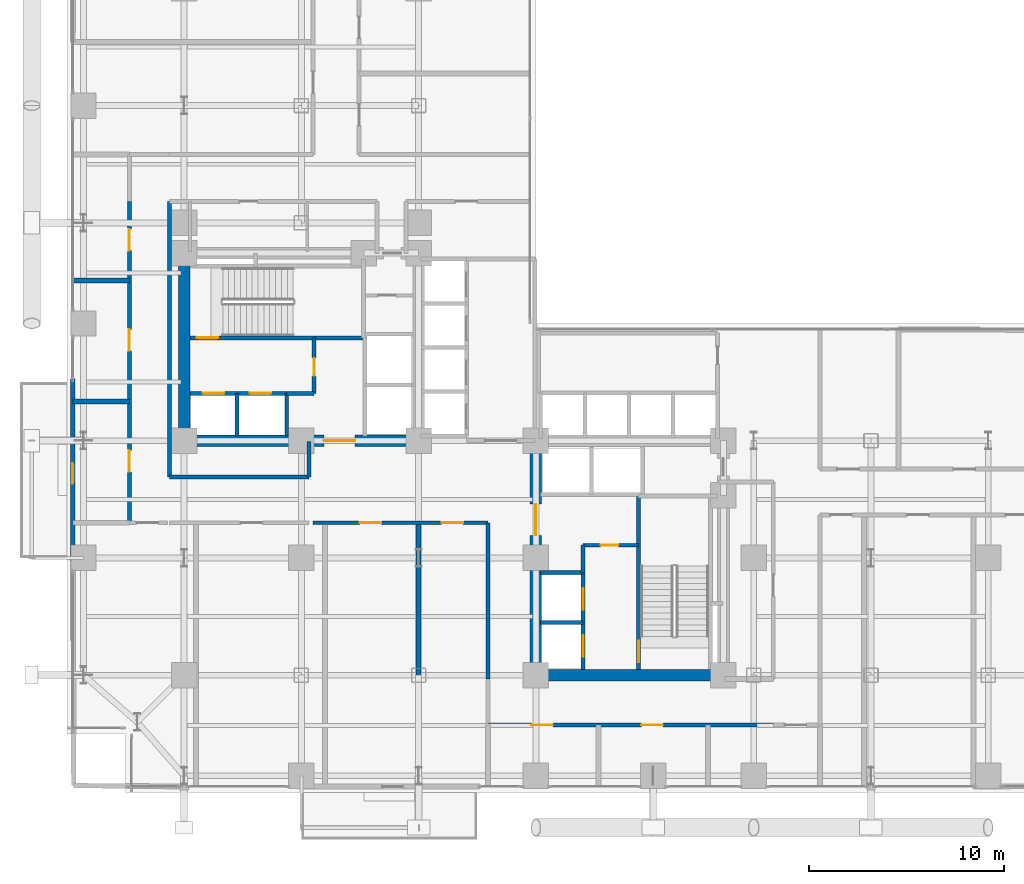
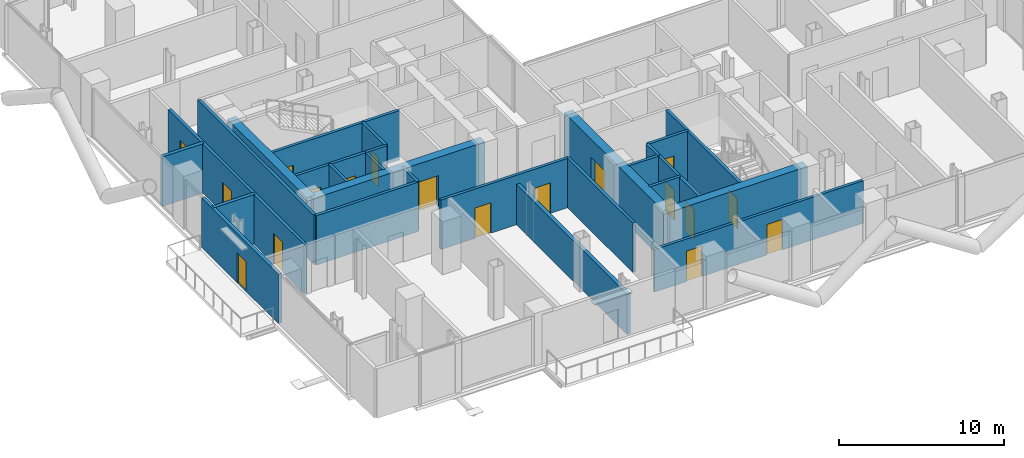
# One storey, part 20 of 25: 27 walls, 18 doors, 18 openings.
"""IFC4 building model written with IfcOpenShell, lengths in metres."""

from ifc_helpers import new_model, si_unit, direction, frame, frame_2d, origin, place, context, subcontext, project, spatial, rectangle, extrude, material, layer, layer_set, type_object, element, fill, save


model = new_model("IFC4")

# Units and contexts
model_context = context("Model", 3, precision=1e-05, world=origin(), true_north=direction((0.0, 1.0)))
body_context = subcontext(model_context, "Body", "Model", "MODEL_VIEW")
ifc_project = project(units=[si_unit("LENGTHUNIT", "METRE"), si_unit("AREAUNIT", "SQUARE_METRE"), si_unit("VOLUMEUNIT", "CUBIC_METRE"), si_unit("PLANEANGLEUNIT", "RADIAN"), si_unit("MASSUNIT", "GRAM", prefix="KILO"), si_unit("THERMODYNAMICTEMPERATUREUNIT", "KELVIN"), si_unit("POWERUNIT", "WATT")], contexts=[model_context])

# Site, building, storey
site_placement = place(None, origin())
site = spatial("IfcSite", under=ifc_project, at=site_placement, CompositionType="ELEMENT")
building_placement = place(site_placement, origin())
building = spatial("IfcBuilding", under=site, at=building_placement, Name="Svarakhadi Broadcast Tower", CompositionType="ELEMENT")
storey_placement = place(building_placement, frame((0.0, 0.0, 79.199951171875)))
storey = spatial("IfcBuildingStorey", under=building, at=storey_placement, Name="L18", CompositionType="ELEMENT", Elevation=79.199951171875)

# Wall, openings, doors
ifc_material_1 = material(Name="Double-Stud Acoustic Studio Partition STC-62", Category="gypsum")
ifc_layer_1 = layer(ifc_material_1, 0.199951171875)
ifc_layer_set_1 = layer_set([ifc_layer_1], Name="Double-Stud Acoustic Studio Partition STC-62")
wall_type_1 = type_object("IfcWallType", Name="Wall_Acoust_200", PredefinedType="PARTITIONING", material=ifc_layer_set_1)
wall_1_placement = place(storey_placement, frame((36.14990234375, 3.449951171875, 0.0), z_axis=(0.0, 0.0, 1.0), x_axis=(-1.0, 0.0, 0.0)))
wall_1 = element("IfcWall", 1, at=wall_1_placement, inside=storey, type_object=wall_type_1, Name="L18 Broadcast Corridor Wall", PredefinedType="PARTITIONING", context=body_context, shape_type="SweptSolid", body=[
    extrude(rectangle(XDim=14.599853515625, YDim=0.199951171875, at=frame_2d((7.2998046875, 0.0))), origin(), (0.0, 0.0, 1.0), 3.14208984375),
])
opening_1_placement = place(wall_1_placement, frame((11.27490234375, 0.0, 0.0)))
opening_1 = element("IfcOpeningElement", 2, at=opening_1_placement, cuts=wall_1, Name="Opening D-11", PredefinedType="OPENING", context=body_context, shape_type="SweptSolid", body=[
    extrude(rectangle(XDim=1.10009765625, YDim=2.25, at=frame_2d((0.550048828125, 1.125))), frame((0.0, 0.10986328125, 0.0), z_axis=(0.0, -1.0, 0.0), x_axis=(1.0, 0.0, 0.0)), (0.0, 0.0, 1.0), 0.219970703125),
])
opening_2_placement = place(wall_1_placement, frame((5.64990234375, 0.0, 0.0)))
opening_2 = element("IfcOpeningElement", 3, at=opening_2_placement, cuts=wall_1, Name="Opening D-10", PredefinedType="OPENING", context=body_context, shape_type="SweptSolid", body=[
    extrude(rectangle(XDim=1.10009765625, YDim=2.25, at=frame_2d((0.550048828125, 1.125))), frame((0.0, 0.10986328125, 0.0), z_axis=(0.0, -1.0, 0.0), x_axis=(1.0, 0.0, 0.0)), (0.0, 0.0, 1.0), 0.219970703125),
])
ifc_material_2 = material(Name="Solid-Core Teak Veneer Acoustic Timber Leaf", Category="wood")
door_type_1 = type_object("IfcDoorType", Name="Door_Acoust_D10", OperationType="SINGLE_SWING_LEFT", PredefinedType="DOOR", material=ifc_material_2)
door_1_placement = place(opening_2_placement, origin())
door_1 = element("IfcDoor", 4, at=door_1_placement, inside=storey, type_object=door_type_1, Name="L18 Media Legal Review Office Door", OperationType="SINGLE_SWING_LEFT", OverallHeight=2.25, OverallWidth=1.10009765625, PredefinedType="DOOR", context=body_context, shape_type="SweptSolid", body=[
    extrude(rectangle(XDim=1.10009765625, YDim=2.25, at=frame_2d((0.550048828125, 1.125))), frame((0.0, 0.02490234375, 0.0), z_axis=(0.0, -1.0, 0.0), x_axis=(1.0, 0.0, 0.0)), (0.0, 0.0, 1.0), 0.050048828125),
])
fill(opening_2, door_1)
door_type_2 = type_object("IfcDoorType", Name="Door_Acoust_D11", OperationType="SINGLE_SWING_RIGHT", PredefinedType="DOOR", material=ifc_material_2)
door_2_placement = place(opening_1_placement, origin())
door_2 = element("IfcDoor", 5, at=door_2_placement, inside=storey, type_object=door_type_2, Name="L18 South Harbour Editorial Desk Door", OperationType="SINGLE_SWING_RIGHT", OverallHeight=2.25, OverallWidth=1.10009765625, PredefinedType="DOOR", context=body_context, shape_type="SweptSolid", body=[
    extrude(rectangle(XDim=1.10009765625, YDim=2.25, at=frame_2d((0.550048828125, 1.125))), frame((0.0, 0.02490234375, 0.0), z_axis=(0.0, -1.0, 0.0), x_axis=(1.0, 0.0, 0.0)), (0.0, 0.0, 1.0), 0.050048828125),
])
fill(opening_1, door_2)

# Wall
wall_2_placement = place(storey_placement, frame((21.550048828125, 5.800048828125, 0.0), z_axis=(0.0, 0.0, 1.0), x_axis=(0.0, 1.0, 0.0)))
element("IfcWall", 6, at=wall_2_placement, inside=storey, type_object=wall_type_1, Name="L18 Broadcast Corridor Wall", PredefinedType="PARTITIONING", context=body_context, shape_type="SweptSolid", body=[
    extrude(rectangle(XDim=8.0, YDim=0.199951171875, at=frame_2d((4.0, 0.0))), origin(), (0.0, 0.0, 1.0), 3.650146484375),
])

# Wall, openings, doors
wall_3_placement = place(storey_placement, frame((21.550048828125, 13.800048828125, 0.0), z_axis=(0.0, 0.0, 1.0), x_axis=(-1.0, 0.0, 0.0)))
wall_3 = element("IfcWall", 7, at=wall_3_placement, inside=storey, type_object=wall_type_1, Name="L18 Broadcast Corridor Wall", PredefinedType="PARTITIONING", context=body_context, shape_type="SweptSolid", body=[
    extrude(rectangle(XDim=8.949951171875, YDim=0.199951171875, at=frame_2d((4.47509765625, 0.0))), origin(), (0.0, 0.0, 1.0), 3.650146484375),
])
opening_3_placement = place(wall_3_placement, frame((5.449951171875, 0.0, 0.0)))
opening_3 = element("IfcOpeningElement", 8, at=opening_3_placement, cuts=wall_3, Name="Opening D-11", PredefinedType="OPENING", context=body_context, shape_type="SweptSolid", body=[
    extrude(rectangle(XDim=1.10009765625, YDim=2.25, at=frame_2d((0.550048828125, 1.125))), frame((0.0, 0.10986328125, 0.0), z_axis=(0.0, -1.0, 0.0), x_axis=(1.0, 0.0, 0.0)), (0.0, 0.0, 1.0), 0.219970703125),
])
opening_4_placement = place(wall_3_placement, frame((1.27490234375, 0.0, 0.0)))
opening_4 = element("IfcOpeningElement", 9, at=opening_4_placement, cuts=wall_3, Name="Opening D-10", PredefinedType="OPENING", context=body_context, shape_type="SweptSolid", body=[
    extrude(rectangle(XDim=1.10009765625, YDim=2.25, at=frame_2d((0.550048828125, 1.125))), frame((0.0, 0.10986328125, 0.0), z_axis=(0.0, -1.0, 0.0), x_axis=(1.0, 0.0, 0.0)), (0.0, 0.0, 1.0), 0.219970703125),
])
door_3_placement = place(opening_4_placement, origin())
door_3 = element("IfcDoor", 10, at=door_3_placement, inside=storey, type_object=door_type_1, Name="L18 Digital Tea Bar Door", OperationType="SINGLE_SWING_LEFT", OverallHeight=2.25, OverallWidth=1.10009765625, PredefinedType="DOOR", context=body_context, shape_type="SweptSolid", body=[
    extrude(rectangle(XDim=1.10009765625, YDim=2.25, at=frame_2d((0.550048828125, 1.125))), frame((0.0, 0.02490234375, 0.0), z_axis=(0.0, -1.0, 0.0), x_axis=(1.0, 0.0, 0.0)), (0.0, 0.0, 1.0), 0.050048828125),
])
fill(opening_4, door_3)
door_4_placement = place(opening_3_placement, origin())
door_4 = element("IfcDoor", 11, at=door_4_placement, inside=storey, type_object=door_type_2, Name="L18 Content Pitch Room Door", OperationType="SINGLE_SWING_RIGHT", OverallHeight=2.25, OverallWidth=1.10009765625, PredefinedType="DOOR", context=body_context, shape_type="SweptSolid", body=[
    extrude(rectangle(XDim=1.10009765625, YDim=2.25, at=frame_2d((0.550048828125, 1.125))), frame((0.0, 0.02490234375, 0.0), z_axis=(0.0, -1.0, 0.0), x_axis=(1.0, 0.0, 0.0)), (0.0, 0.0, 1.0), 0.050048828125),
])
fill(opening_3, door_4)

wall_4_placement = place(storey_placement, frame((3.199951171875, 13.800048828125, 0.0), z_axis=(0.0, 0.0, 1.0), x_axis=(0.0, 1.0, 0.0)))
wall_4 = element("IfcWall", 12, at=wall_4_placement, inside=storey, type_object=wall_type_1, Name="L18 Broadcast Corridor Wall", PredefinedType="PARTITIONING", context=body_context, shape_type="SweptSolid", body=[
    extrude(rectangle(XDim=16.449951171875, YDim=0.199951171875, at=frame_2d((8.22509765625, 0.0))), origin(), (0.0, 0.0, 1.0), 3.650146484375),
])
opening_5_placement = place(wall_4_placement, frame((2.60009765625, 0.0, 0.0)))
opening_5 = element("IfcOpeningElement", 13, at=opening_5_placement, cuts=wall_4, Name="Opening D-11", PredefinedType="OPENING", context=body_context, shape_type="SweptSolid", body=[
    extrude(rectangle(XDim=1.10009765625, YDim=2.25, at=frame_2d((0.550048828125, 1.125))), frame((0.0, 0.10986328125, 0.0), z_axis=(0.0, -1.0, 0.0), x_axis=(1.0, 0.0, 0.0)), (0.0, 0.0, 1.0), 0.219970703125),
])
opening_6_placement = place(wall_4_placement, frame((8.800048828125, 0.0, 0.0)))
opening_6 = element("IfcOpeningElement", 14, at=opening_6_placement, cuts=wall_4, Name="Opening D-10", PredefinedType="OPENING", context=body_context, shape_type="SweptSolid", body=[
    extrude(rectangle(XDim=1.10009765625, YDim=2.25, at=frame_2d((0.550048828125, 1.125))), frame((0.0, 0.10986328125, 0.0), z_axis=(0.0, -1.0, 0.0), x_axis=(1.0, 0.0, 0.0)), (0.0, 0.0, 1.0), 0.219970703125),
])
opening_7_placement = place(wall_4_placement, frame((13.925048828125, 0.0, 0.0)))
opening_7 = element("IfcOpeningElement", 15, at=opening_7_placement, cuts=wall_4, Name="Opening D-11", PredefinedType="OPENING", context=body_context, shape_type="SweptSolid", body=[
    extrude(rectangle(XDim=1.10009765625, YDim=2.25, at=frame_2d((0.550048828125, 1.125))), frame((0.0, 0.10986328125, 0.0), z_axis=(0.0, -1.0, 0.0), x_axis=(1.0, 0.0, 0.0)), (0.0, 0.0, 1.0), 0.219970703125),
])
door_5_placement = place(opening_6_placement, origin())
door_5 = element("IfcDoor", 16, at=door_5_placement, inside=storey, type_object=door_type_1, Name="L18 Live Translation Studio Door", OperationType="SINGLE_SWING_LEFT", OverallHeight=2.25, OverallWidth=1.10009765625, PredefinedType="DOOR", context=body_context, shape_type="SweptSolid", body=[
    extrude(rectangle(XDim=1.10009765625, YDim=2.25, at=frame_2d((0.550048828125, 1.125))), frame((0.0, 0.02490234375, 0.0), z_axis=(0.0, -1.0, 0.0), x_axis=(1.0, 0.0, 0.0)), (0.0, 0.0, 1.0), 0.050048828125),
])
fill(opening_6, door_5)
door_6_placement = place(opening_5_placement, origin())
door_6 = element("IfcDoor", 17, at=door_6_placement, inside=storey, type_object=door_type_2, Name="L18 Arabian Sea Commentary Booth Door", OperationType="SINGLE_SWING_RIGHT", OverallHeight=2.25, OverallWidth=1.10009765625, PredefinedType="DOOR", context=body_context, shape_type="SweptSolid", body=[
    extrude(rectangle(XDim=1.10009765625, YDim=2.25, at=frame_2d((0.550048828125, 1.125))), frame((0.0, 0.02490234375, 0.0), z_axis=(0.0, -1.0, 0.0), x_axis=(1.0, 0.0, 0.0)), (0.0, 0.0, 1.0), 0.050048828125),
])
fill(opening_5, door_6)
door_7_placement = place(opening_7_placement, origin())
door_7 = element("IfcDoor", 18, at=door_7_placement, inside=storey, type_object=door_type_2, Name="L18 Producer Quiet Lounge Door", OperationType="SINGLE_SWING_RIGHT", OverallHeight=2.25, OverallWidth=1.10009765625, PredefinedType="DOOR", context=body_context, shape_type="SweptSolid", body=[
    extrude(rectangle(XDim=1.10009765625, YDim=2.25, at=frame_2d((0.550048828125, 1.125))), frame((0.0, 0.02490234375, 0.0), z_axis=(0.0, -1.0, 0.0), x_axis=(1.0, 0.0, 0.0)), (0.0, 0.0, 1.0), 0.050048828125),
])
fill(opening_7, door_7)

# Walls
wall_5_placement = place(storey_placement, frame((5.25, 30.25, 0.0), z_axis=(0.0, 0.0, 1.0), x_axis=(0.0, -1.0, 0.0)))
element("IfcWall", 19, at=wall_5_placement, inside=storey, type_object=wall_type_1, Name="L18 Broadcast Corridor Wall", PredefinedType="PARTITIONING", context=body_context, shape_type="SweptSolid", body=[
    extrude(rectangle(XDim=14.10009765625, YDim=0.199951171875, at=frame_2d((7.050048828125, 0.0))), origin(), (0.0, 0.0, 1.0), 3.650146484375),
])
wall_6_placement = place(storey_placement, frame((5.25, 16.14990234375, 0.0), z_axis=(0.0, 0.0, 1.0), x_axis=(1.0, 0.0, 0.0)))
element("IfcWall", 20, at=wall_6_placement, inside=storey, type_object=wall_type_1, Name="L18 Broadcast Corridor Wall", PredefinedType="PARTITIONING", context=body_context, shape_type="SweptSolid", body=[
    extrude(rectangle(XDim=7.14990234375, YDim=0.199951171875, at=frame_2d((3.574951171875, 0.0))), origin(), (0.0, 0.0, 1.0), 3.650146484375),
])
wall_7_placement = place(storey_placement, frame((12.39990234375, 16.14990234375, 0.0), z_axis=(0.0, 0.0, 1.0), x_axis=(0.0, 1.0, 0.0)))
element("IfcWall", 21, at=wall_7_placement, inside=storey, type_object=wall_type_1, Name="L18 Broadcast Corridor Wall", PredefinedType="PARTITIONING", context=body_context, shape_type="SweptSolid", body=[
    extrude(rectangle(XDim=1.800048828125, YDim=0.199951171875, at=frame_2d((0.89990234375, 0.0))), origin(), (0.0, 0.0, 1.0), 3.650146484375),
])
ifc_layer_2 = layer(ifc_material_1, 0.25)
ifc_layer_set_2 = layer_set([ifc_layer_2], Name="Double-Stud Acoustic Studio Partition STC-62")
wall_type_2 = type_object("IfcWallType", Name="Wall_Acoust_250", PredefinedType="PARTITIONING", material=ifc_layer_set_2)
wall_8_placement = place(storey_placement, frame((18.0, 0.300048828125, 0.0), z_axis=(0.0, 0.0, 1.0), x_axis=(0.0, 1.0, 0.0)))
element("IfcWall", 22, at=wall_8_placement, inside=storey, type_object=wall_type_2, Name="L18 Content Pitch Room Wall", PredefinedType="PARTITIONING", context=body_context, shape_type="SweptSolid", body=[
    extrude(rectangle(XDim=13.5, YDim=0.25, at=frame_2d((6.75, 0.0))), origin(), (0.0, 0.0, 1.0), 2.991943359375),
])
for number, where, z_axis, x_axis, name in (
    (23, (0.300048828125, 20.0, 0.0), (0.0, 0.0, 1.0), (1.0, 0.0, 0.0), "L18 Arabian Sea Commentary Booth Wall"),
    (24, (0.300048828125, 26.199951171875, 0.0), (0.0, 0.0, 1.0), (1.0, 0.0, 0.0), "L18 Live Translation Studio Wall"),
):
    element("IfcWall", number, at=place(storey_placement, frame(where, z_axis=z_axis, x_axis=x_axis)), inside=storey, type_object=wall_type_2, Name=name, PredefinedType="PARTITIONING", context=body_context, shape_type="SweptSolid", body=[
        extrude(rectangle(XDim=2.89990234375, YDim=0.25, at=frame_2d((1.449951171875, 0.0))), origin(), (0.0, 0.0, 1.0), 3.650146484375),
    ])

# Wall, opening, door
ifc_material_3 = material(Name="Concrete C40/50 (IS 456 M50)", Category="concrete")
ifc_layer_3 = layer(ifc_material_3, 0.239990234375)
ifc_layer_set_3 = layer_set([ifc_layer_3], Name="Concrete C40/50 (IS 456 M50)")
wall_type_3 = type_object("IfcWallType", Name="Wall_Ext_240", PredefinedType="SOLIDWALL", material=ifc_layer_set_3)
wall_9_placement = place(storey_placement, frame((0.300048828125, 11.85498046875, 0.0), z_axis=(0.0, 0.0, 1.0), x_axis=(0.0, 1.0, 0.0)))
wall_9 = element("IfcWall", 25, at=wall_9_placement, inside=storey, type_object=wall_type_3, Name="L18 West Tree Balcony Spandrel Wall", PredefinedType="SOLIDWALL", context=body_context, shape_type="SweptSolid", body=[
    extrude(rectangle(XDim=9.2900390625, YDim=0.239990234375, at=frame_2d((4.64501953125, 0.0))), origin(), (0.0, 0.0, 1.0), 3.650146484375),
])
opening_8_placement = place(wall_9_placement, frame((3.945068359375, 0.0, 0.0)))
opening_8 = element("IfcOpeningElement", 26, at=opening_8_placement, cuts=wall_9, Name="Opening ED-05", PredefinedType="OPENING", context=body_context, shape_type="SweptSolid", body=[
    extrude(rectangle(XDim=1.050048828125, YDim=2.199951171875, at=frame_2d((0.52490234375, 1.10009765625))), frame((0.0, 0.1298828125, 0.0), z_axis=(0.0, -1.0, 0.0), x_axis=(1.0, 0.0, 0.0)), (0.0, 0.0, 1.0), 0.260009765625),
])
ifc_material_4 = material(Name="Anodised Bronze Aluminium AA 6063-T6", Category="aluminium")
door_type_3 = type_object("IfcDoorType", Name="Door_Ext_ED05", OperationType="SINGLE_SWING_LEFT", PredefinedType="DOOR", material=ifc_material_4)
door_8_placement = place(opening_8_placement, origin())
door_8 = element("IfcDoor", 27, at=door_8_placement, inside=storey, type_object=door_type_3, Name="L18 West Tree Balcony Door", OperationType="SINGLE_SWING_LEFT", OverallHeight=2.199951171875, OverallWidth=1.050048828125, PredefinedType="DOOR", context=body_context, shape_type="SweptSolid", body=[
    extrude(rectangle(XDim=1.050048828125, YDim=2.199951171875, at=frame_2d((0.52490234375, 1.10009765625))), frame((0.0, 0.02490234375, 0.0), z_axis=(0.0, -1.0, 0.0), x_axis=(1.0, 0.0, 0.0)), (0.0, 0.0, 1.0), 0.050048828125),
])
fill(opening_8, door_8)

ifc_material_5 = material(Name="Concrete C50/60 (IS 456 M60)", Category="concrete")
ifc_layer_4 = layer(ifc_material_5, 0.199951171875)
ifc_layer_set_4 = layer_set([ifc_layer_4], Name="Concrete C50/60 (IS 456 M60)")
wall_type_4 = type_object("IfcWallType", Name="Wall_Shear_200", PredefinedType="SHEAR", material=ifc_layer_set_4)
wall_10_placement = place(storey_placement, frame((6.300048828125, 23.260009765625, 0.0), z_axis=(0.0, 0.0, 1.0), x_axis=(1.0, 0.0, 0.0)))
wall_10 = element("IfcWall", 28, at=wall_10_placement, inside=storey, type_object=wall_type_4, Name="L18 Stair ST-01 South RC Shaft Wall", PredefinedType="SHEAR", context=body_context, shape_type="SweptSolid", body=[
    extrude(rectangle(XDim=8.8798828125, YDim=0.199951171875, at=frame_2d((4.43994140625, 0.0))), origin(), (0.0, 0.0, 1.0), 3.650146484375),
])
opening_9_placement = place(wall_10_placement, frame((0.35009765625, 0.0, 0.0)))
opening_9 = element("IfcOpeningElement", 29, at=opening_9_placement, cuts=wall_10, Name="Opening D-01", PredefinedType="OPENING", context=body_context, shape_type="SweptSolid", body=[
    extrude(rectangle(XDim=1.10009765625, YDim=2.199951171875, at=frame_2d((0.550048828125, 1.10009765625))), frame((0.0, 0.10986328125, 0.0), z_axis=(0.0, -1.0, 0.0), x_axis=(1.0, 0.0, 0.0)), (0.0, 0.0, 1.0), 0.219970703125),
])
ifc_material_6 = material(Name="Galvanised Powder-Coated Fire-Rated Steel Leaf", Category="steel")
door_type_4 = type_object("IfcDoorType", Name="Door_Stair_D01", OperationType="SINGLE_SWING_LEFT", PredefinedType="DOOR", material=ifc_material_6)
door_9_placement = place(opening_9_placement, origin())
door_9 = element("IfcDoor", 30, at=door_9_placement, inside=storey, type_object=door_type_4, Name="L18 Protected Exit Stair ST-01 Fire Door", OperationType="SINGLE_SWING_LEFT", OverallHeight=2.199951171875, OverallWidth=1.10009765625, PredefinedType="DOOR", context=body_context, shape_type="SweptSolid", body=[
    extrude(rectangle(XDim=1.10009765625, YDim=2.199951171875, at=frame_2d((0.550048828125, 1.10009765625))), frame((0.0, 0.02490234375, 0.0), z_axis=(0.0, -1.0, 0.0), x_axis=(1.0, 0.0, 0.0)), (0.0, 0.0, 1.0), 0.050048828125),
])
fill(opening_9, door_9)

wall_11_placement = place(storey_placement, frame((29.260009765625, 6.300048828125, 0.0), z_axis=(0.0, 0.0, 1.0), x_axis=(0.0, 1.0, 0.0)))
wall_11 = element("IfcWall", 31, at=wall_11_placement, inside=storey, type_object=wall_type_4, Name="L18 Stair ST-02 West RC Shaft Wall", PredefinedType="SHEAR", context=body_context, shape_type="SweptSolid", body=[
    extrude(rectangle(XDim=8.8798828125, YDim=0.199951171875, at=frame_2d((4.43994140625, 0.0))), origin(), (0.0, 0.0, 1.0), 3.650146484375),
])
opening_10_placement = place(wall_11_placement, frame((0.35009765625, 0.0, 0.0)))
opening_10 = element("IfcOpeningElement", 32, at=opening_10_placement, cuts=wall_11, Name="Opening D-02", PredefinedType="OPENING", context=body_context, shape_type="SweptSolid", body=[
    extrude(rectangle(XDim=1.10009765625, YDim=2.199951171875, at=frame_2d((0.550048828125, 1.10009765625))), frame((0.0, 0.10986328125, 0.0), z_axis=(0.0, -1.0, 0.0), x_axis=(1.0, 0.0, 0.0)), (0.0, 0.0, 1.0), 0.219970703125),
])
door_type_5 = type_object("IfcDoorType", Name="Door_Stair_D02", OperationType="SINGLE_SWING_RIGHT", PredefinedType="DOOR", material=ifc_material_6)
door_10_placement = place(opening_10_placement, origin())
door_10 = element("IfcDoor", 33, at=door_10_placement, inside=storey, type_object=door_type_5, Name="L18 Protected Exit Stair ST-02 Fire Door", OperationType="SINGLE_SWING_RIGHT", OverallHeight=2.199951171875, OverallWidth=1.10009765625, PredefinedType="DOOR", context=body_context, shape_type="SweptSolid", body=[
    extrude(rectangle(XDim=1.10009765625, YDim=2.199951171875, at=frame_2d((0.550048828125, 1.10009765625))), frame((0.0, 0.02490234375, 0.0), z_axis=(0.0, -1.0, 0.0), x_axis=(1.0, 0.0, 0.0)), (0.0, 0.0, 1.0), 0.050048828125),
])
fill(opening_10, door_10)

# Wall, openings, doors
wall_12_placement = place(storey_placement, frame((6.300048828125, 20.419921875, 0.0), z_axis=(0.0, 0.0, 1.0), x_axis=(1.0, 0.0, 0.0)))
wall_12 = element("IfcWall", 34, at=wall_12_placement, inside=storey, type_object=wall_type_4, Name="L18 Firefighting Lift LF-01/02 Shaft Wall", PredefinedType="SHEAR", context=body_context, shape_type="SweptSolid", body=[
    extrude(rectangle(XDim=4.949951171875, YDim=0.199951171875, at=frame_2d((2.47509765625, 0.0))), origin(), (0.0, 0.0, 1.0), 3.650146484375),
])
opening_11_placement = place(wall_12_placement, frame((0.64990234375, 0.0, 0.0)))
opening_11 = element("IfcOpeningElement", 35, at=opening_11_placement, cuts=wall_12, Name="Opening LD-01", PredefinedType="OPENING", context=body_context, shape_type="SweptSolid", body=[
    extrude(rectangle(XDim=1.10009765625, YDim=2.199951171875, at=frame_2d((0.550048828125, 1.10009765625))), frame((0.0, 0.10986328125, 0.0), z_axis=(0.0, -1.0, 0.0), x_axis=(1.0, 0.0, 0.0)), (0.0, 0.0, 1.0), 0.219970703125),
])
opening_12_placement = place(wall_12_placement, frame((3.050048828125, 0.0, 0.0)))
opening_12 = element("IfcOpeningElement", 36, at=opening_12_placement, cuts=wall_12, Name="Opening LD-01", PredefinedType="OPENING", context=body_context, shape_type="SweptSolid", body=[
    extrude(rectangle(XDim=1.10009765625, YDim=2.199951171875, at=frame_2d((0.550048828125, 1.10009765625))), frame((0.0, 0.10986328125, 0.0), z_axis=(0.0, -1.0, 0.0), x_axis=(1.0, 0.0, 0.0)), (0.0, 0.0, 1.0), 0.219970703125),
])
door_type_6 = type_object("IfcDoorType", Name="Door_Lift_LD01", OperationType="SLIDING_TO_LEFT", PredefinedType="DOOR", material=ifc_material_6)
door_11_placement = place(opening_11_placement, origin())
door_11 = element("IfcDoor", 37, at=door_11_placement, inside=storey, type_object=door_type_6, Name="L18 Firefighting Lift LF-01 Landing Door", OperationType="SLIDING_TO_LEFT", OverallHeight=2.199951171875, OverallWidth=1.10009765625, PredefinedType="DOOR", context=body_context, shape_type="SweptSolid", body=[
    extrude(rectangle(XDim=1.10009765625, YDim=2.199951171875, at=frame_2d((0.550048828125, 1.10009765625))), frame((0.0, 0.02490234375, 0.0), z_axis=(0.0, -1.0, 0.0), x_axis=(1.0, 0.0, 0.0)), (0.0, 0.0, 1.0), 0.050048828125),
])
fill(opening_11, door_11)
door_12_placement = place(opening_12_placement, origin())
door_12 = element("IfcDoor", 38, at=door_12_placement, inside=storey, type_object=door_type_6, Name="L18 Firefighting Lift LF-02 Landing Door", OperationType="SLIDING_TO_LEFT", OverallHeight=2.199951171875, OverallWidth=1.10009765625, PredefinedType="DOOR", context=body_context, shape_type="SweptSolid", body=[
    extrude(rectangle(XDim=1.10009765625, YDim=2.199951171875, at=frame_2d((0.550048828125, 1.10009765625))), frame((0.0, 0.02490234375, 0.0), z_axis=(0.0, -1.0, 0.0), x_axis=(1.0, 0.0, 0.0)), (0.0, 0.0, 1.0), 0.050048828125),
])
fill(opening_12, door_12)

# Walls
for number, where, z_axis, x_axis, name in (
    (39, (8.699951171875, 18.25, 0.0), (0.0, 0.0, 1.0), (0.0, 1.0, 0.0), "L18 Firefighting Lift LF-01/02 Divider Wall"),
    (40, (11.25, 18.25, 0.0), (0.0, 0.0, 1.0), (0.0, 1.0, 0.0), "L18 Firefighting Lift LF-02 East Wall"),
):
    element("IfcWall", number, at=place(storey_placement, frame(where, z_axis=z_axis, x_axis=x_axis)), inside=storey, type_object=wall_type_4, Name=name, PredefinedType="SHEAR", context=body_context, shape_type="SweptSolid", body=[
        extrude(rectangle(XDim=2.169921875, YDim=0.199951171875, at=frame_2d((1.0849609375, 0.0))), origin(), (0.0, 0.0, 1.0), 3.650146484375),
    ])
wall_13_placement = place(storey_placement, frame((11.25, 20.419921875, 0.0), z_axis=(0.0, 0.0, 1.0), x_axis=(1.0, 0.0, 0.0)))
element("IfcWall", 41, at=wall_13_placement, inside=storey, type_object=wall_type_4, Name="L18 West Firefighting Lobby South Wall", PredefinedType="SHEAR", context=body_context, shape_type="SweptSolid", body=[
    extrude(rectangle(XDim=1.39990234375, YDim=0.199951171875, at=frame_2d((0.699951171875, 0.0))), origin(), (0.0, 0.0, 1.0), 3.650146484375),
])

# Wall, opening, door
wall_14_placement = place(storey_placement, frame((12.64990234375, 20.419921875, 0.0), z_axis=(0.0, 0.0, 1.0), x_axis=(0.0, 1.0, 0.0)))
wall_14 = element("IfcWall", 42, at=wall_14_placement, inside=storey, type_object=wall_type_4, Name="L18 West Firefighting Lobby East Wall", PredefinedType="SHEAR", context=body_context, shape_type="SweptSolid", body=[
    extrude(rectangle(XDim=2.840087890625, YDim=0.199951171875, at=frame_2d((1.419921875, 0.0))), origin(), (0.0, 0.0, 1.0), 3.650146484375),
])
opening_13_placement = place(wall_14_placement, frame((0.89990234375, 0.0, 0.0)))
opening_13 = element("IfcOpeningElement", 43, at=opening_13_placement, cuts=wall_14, Name="Opening D-04", PredefinedType="OPENING", context=body_context, shape_type="SweptSolid", body=[
    extrude(rectangle(XDim=0.89990234375, YDim=2.14990234375, at=frame_2d((0.449951171875, 1.074951171875))), frame((0.0, 0.10986328125, 0.0), z_axis=(0.0, -1.0, 0.0), x_axis=(1.0, 0.0, 0.0)), (0.0, 0.0, 1.0), 0.219970703125),
])
door_type_7 = type_object("IfcDoorType", Name="Door_Fire_D04", OperationType="SINGLE_SWING_RIGHT", PredefinedType="DOOR", material=ifc_material_6)
door_13_placement = place(opening_13_placement, origin())
door_13 = element("IfcDoor", 44, at=door_13_placement, inside=storey, type_object=door_type_7, Name="L18 West Firefighting Lobby Fire Door", OperationType="SINGLE_SWING_RIGHT", OverallHeight=2.14990234375, OverallWidth=0.89990234375, PredefinedType="DOOR", context=body_context, shape_type="SweptSolid", body=[
    extrude(rectangle(XDim=0.89990234375, YDim=2.14990234375, at=frame_2d((0.449951171875, 1.074951171875))), frame((0.0, 0.02490234375, 0.0), z_axis=(0.0, -1.0, 0.0), x_axis=(1.0, 0.0, 0.0)), (0.0, 0.0, 1.0), 0.050048828125),
])
fill(opening_13, door_13)

# Wall, openings, doors
wall_15_placement = place(storey_placement, frame((26.419921875, 6.300048828125, 0.0), z_axis=(0.0, 0.0, 1.0), x_axis=(0.0, 1.0, 0.0)))
wall_15 = element("IfcWall", 45, at=wall_15_placement, inside=storey, type_object=wall_type_4, Name="L18 Firefighting Lift LF-03/04 Shaft Wall", PredefinedType="SHEAR", context=body_context, shape_type="SweptSolid", body=[
    extrude(rectangle(XDim=4.949951171875, YDim=0.199951171875, at=frame_2d((2.47509765625, 0.0))), origin(), (0.0, 0.0, 1.0), 3.650146484375),
])
opening_14_placement = place(wall_15_placement, frame((0.64990234375, 0.0, 0.0)))
opening_14 = element("IfcOpeningElement", 46, at=opening_14_placement, cuts=wall_15, Name="Opening LD-01", PredefinedType="OPENING", context=body_context, shape_type="SweptSolid", body=[
    extrude(rectangle(XDim=1.10009765625, YDim=2.199951171875, at=frame_2d((0.550048828125, 1.10009765625))), frame((0.0, 0.10986328125, 0.0), z_axis=(0.0, -1.0, 0.0), x_axis=(1.0, 0.0, 0.0)), (0.0, 0.0, 1.0), 0.219970703125),
])
opening_15_placement = place(wall_15_placement, frame((3.050048828125, 0.0, 0.0)))
opening_15 = element("IfcOpeningElement", 47, at=opening_15_placement, cuts=wall_15, Name="Opening LD-01", PredefinedType="OPENING", context=body_context, shape_type="SweptSolid", body=[
    extrude(rectangle(XDim=1.10009765625, YDim=2.199951171875, at=frame_2d((0.550048828125, 1.10009765625))), frame((0.0, 0.10986328125, 0.0), z_axis=(0.0, -1.0, 0.0), x_axis=(1.0, 0.0, 0.0)), (0.0, 0.0, 1.0), 0.219970703125),
])
door_14_placement = place(opening_14_placement, origin())
door_14 = element("IfcDoor", 48, at=door_14_placement, inside=storey, type_object=door_type_6, Name="L18 Firefighting Lift LF-03 Landing Door", OperationType="SLIDING_TO_LEFT", OverallHeight=2.199951171875, OverallWidth=1.10009765625, PredefinedType="DOOR", context=body_context, shape_type="SweptSolid", body=[
    extrude(rectangle(XDim=1.10009765625, YDim=2.199951171875, at=frame_2d((0.550048828125, 1.10009765625))), frame((0.0, 0.02490234375, 0.0), z_axis=(0.0, -1.0, 0.0), x_axis=(1.0, 0.0, 0.0)), (0.0, 0.0, 1.0), 0.050048828125),
])
fill(opening_14, door_14)
door_15_placement = place(opening_15_placement, origin())
door_15 = element("IfcDoor", 49, at=door_15_placement, inside=storey, type_object=door_type_6, Name="L18 Firefighting Lift LF-04 Landing Door", OperationType="SLIDING_TO_LEFT", OverallHeight=2.199951171875, OverallWidth=1.10009765625, PredefinedType="DOOR", context=body_context, shape_type="SweptSolid", body=[
    extrude(rectangle(XDim=1.10009765625, YDim=2.199951171875, at=frame_2d((0.550048828125, 1.10009765625))), frame((0.0, 0.02490234375, 0.0), z_axis=(0.0, -1.0, 0.0), x_axis=(1.0, 0.0, 0.0)), (0.0, 0.0, 1.0), 0.050048828125),
])
fill(opening_15, door_15)

# Walls
for number, where, z_axis, x_axis, name in (
    (50, (24.25, 8.699951171875, 0.0), (0.0, 0.0, 1.0), (1.0, 0.0, 0.0), "L18 Firefighting Lift LF-03/04 Divider Wall"),
    (51, (24.25, 11.25, 0.0), (0.0, 0.0, 1.0), (1.0, 0.0, 0.0), "L18 Firefighting Lift LF-04 North Wall"),
):
    element("IfcWall", number, at=place(storey_placement, frame(where, z_axis=z_axis, x_axis=x_axis)), inside=storey, type_object=wall_type_4, Name=name, PredefinedType="SHEAR", context=body_context, shape_type="SweptSolid", body=[
        extrude(rectangle(XDim=2.169921875, YDim=0.199951171875, at=frame_2d((1.0849609375, 0.0))), origin(), (0.0, 0.0, 1.0), 3.650146484375),
    ])
wall_16_placement = place(storey_placement, frame((26.419921875, 11.25, 0.0), z_axis=(0.0, 0.0, 1.0), x_axis=(0.0, 1.0, 0.0)))
element("IfcWall", 52, at=wall_16_placement, inside=storey, type_object=wall_type_4, Name="L18 East Firefighting Lobby West Wall", PredefinedType="SHEAR", context=body_context, shape_type="SweptSolid", body=[
    extrude(rectangle(XDim=1.39990234375, YDim=0.199951171875, at=frame_2d((0.699951171875, 0.0))), origin(), (0.0, 0.0, 1.0), 3.650146484375),
])

# Wall, opening, door
wall_17_placement = place(storey_placement, frame((26.419921875, 12.64990234375, 0.0), z_axis=(0.0, 0.0, 1.0), x_axis=(1.0, 0.0, 0.0)))
wall_17 = element("IfcWall", 53, at=wall_17_placement, inside=storey, type_object=wall_type_4, Name="L18 East Firefighting Lobby North Wall", PredefinedType="SHEAR", context=body_context, shape_type="SweptSolid", body=[
    extrude(rectangle(XDim=2.840087890625, YDim=0.199951171875, at=frame_2d((1.419921875, 0.0))), origin(), (0.0, 0.0, 1.0), 3.650146484375),
])
opening_16_placement = place(wall_17_placement, frame((0.89990234375, 0.0, 0.0)))
opening_16 = element("IfcOpeningElement", 54, at=opening_16_placement, cuts=wall_17, Name="Opening D-03", PredefinedType="OPENING", context=body_context, shape_type="SweptSolid", body=[
    extrude(rectangle(XDim=0.89990234375, YDim=2.14990234375, at=frame_2d((0.449951171875, 1.074951171875))), frame((0.0, 0.10986328125, 0.0), z_axis=(0.0, -1.0, 0.0), x_axis=(1.0, 0.0, 0.0)), (0.0, 0.0, 1.0), 0.219970703125),
])
door_type_8 = type_object("IfcDoorType", Name="Door_Fire_D03", OperationType="SINGLE_SWING_LEFT", PredefinedType="DOOR", material=ifc_material_6)
door_16_placement = place(opening_16_placement, origin())
door_16 = element("IfcDoor", 55, at=door_16_placement, inside=storey, type_object=door_type_8, Name="L18 East Firefighting Lobby Fire Door", OperationType="SINGLE_SWING_LEFT", OverallHeight=2.14990234375, OverallWidth=0.89990234375, PredefinedType="DOOR", context=body_context, shape_type="SweptSolid", body=[
    extrude(rectangle(XDim=0.89990234375, YDim=2.14990234375, at=frame_2d((0.449951171875, 1.074951171875))), frame((0.0, 0.02490234375, 0.0), z_axis=(0.0, -1.0, 0.0), x_axis=(1.0, 0.0, 0.0)), (0.0, 0.0, 1.0), 0.050048828125),
])
fill(opening_16, door_16)

ifc_material_7 = material(Name="Concrete C60/75 (IS 456 M70)", Category="concrete")
ifc_layer_5 = layer(ifc_material_7, 0.60009765625)
ifc_layer_set_5 = layer_set([ifc_layer_5], Name="Concrete C60/75 (IS 456 M70)")
wall_type_5 = type_object("IfcWallType", Name="Wall_Shear_600", PredefinedType="SHEAR", material=ifc_layer_set_5)
wall_18_placement = place(storey_placement, frame((6.0, 18.0, 0.0), z_axis=(0.0, 0.0, 1.0), x_axis=(1.0, 0.0, 0.0)))
wall_18 = element("IfcWall", 56, at=wall_18_placement, inside=storey, type_object=wall_type_5, Name="L18 West Core South Shear Wall", PredefinedType="SHEAR", context=body_context, shape_type="SweptSolid", body=[
    extrude(rectangle(XDim=12.0, YDim=0.60009765625, at=frame_2d((6.0, 0.0))), origin(), (0.0, 0.0, 1.0), 3.650146484375),
])
opening_17_placement = place(wall_18_placement, frame((7.14990234375, 0.0, 0.0)))
opening_17 = element("IfcOpeningElement", 57, at=opening_17_placement, cuts=wall_18, Name="Opening D-05", PredefinedType="OPENING", context=body_context, shape_type="SweptSolid", body=[
    extrude(rectangle(XDim=1.60009765625, YDim=2.300048828125, at=frame_2d((0.800048828125, 1.14990234375))), frame((0.0, 0.31005859375, 0.0), z_axis=(0.0, -1.0, 0.0), x_axis=(1.0, 0.0, 0.0)), (0.0, 0.0, 1.0), 0.6201171875),
])
door_type_9 = type_object("IfcDoorType", Name="Door_Lobby_D05", OperationType="DOUBLE_DOOR_SLIDING", PredefinedType="DOOR", material=ifc_material_4)
door_17_placement = place(opening_17_placement, origin())
door_17 = element("IfcDoor", 58, at=door_17_placement, inside=storey, type_object=door_type_9, Name="L18 West Core Passenger Lift Lobby Entrance Door", OperationType="DOUBLE_DOOR_SLIDING", OverallHeight=2.300048828125, OverallWidth=1.60009765625, PredefinedType="DOOR", context=body_context, shape_type="SweptSolid", body=[
    extrude(rectangle(XDim=1.60009765625, YDim=2.300048828125, at=frame_2d((0.800048828125, 1.14990234375))), frame((0.0, 0.02490234375, 0.0), z_axis=(0.0, -1.0, 0.0), x_axis=(1.0, 0.0, 0.0)), (0.0, 0.0, 1.0), 0.050048828125),
])
fill(opening_17, door_17)

# Walls
for number, where, z_axis, x_axis, name in (
    (59, (6.0, 18.0, 0.0), (0.0, 0.0, 1.0), (0.0, 1.0, 0.0), "L18 West Core West Shear Wall"),
    (60, (24.0, 6.0, 0.0), (0.0, 0.0, 1.0), (1.0, 0.0, 0.0), "L18 East Core South Shear Wall"),
):
    element("IfcWall", number, at=place(storey_placement, frame(where, z_axis=z_axis, x_axis=x_axis)), inside=storey, type_object=wall_type_5, Name=name, PredefinedType="SHEAR", context=body_context, shape_type="SweptSolid", body=[
        extrude(rectangle(XDim=9.60009765625, YDim=0.60009765625, at=frame_2d((4.800048828125, 0.0))), origin(), (0.0, 0.0, 1.0), 3.650146484375),
    ])

# Wall, opening, door
wall_19_placement = place(storey_placement, frame((24.0, 6.0, 0.0), z_axis=(0.0, 0.0, 1.0), x_axis=(0.0, 1.0, 0.0)))
wall_19 = element("IfcWall", 61, at=wall_19_placement, inside=storey, type_object=wall_type_5, Name="L18 East Core West Shear Wall", PredefinedType="SHEAR", context=body_context, shape_type="SweptSolid", body=[
    extrude(rectangle(XDim=12.0, YDim=0.60009765625, at=frame_2d((6.0, 0.0))), origin(), (0.0, 0.0, 1.0), 3.650146484375),
])
opening_18_placement = place(wall_19_placement, frame((7.14990234375, 0.0, 0.0)))
opening_18 = element("IfcOpeningElement", 62, at=opening_18_placement, cuts=wall_19, Name="Opening D-05", PredefinedType="OPENING", context=body_context, shape_type="SweptSolid", body=[
    extrude(rectangle(XDim=1.60009765625, YDim=2.300048828125, at=frame_2d((0.800048828125, 1.14990234375))), frame((0.0, 0.31005859375, 0.0), z_axis=(0.0, -1.0, 0.0), x_axis=(1.0, 0.0, 0.0)), (0.0, 0.0, 1.0), 0.6201171875),
])
door_18_placement = place(opening_18_placement, origin())
door_18 = element("IfcDoor", 63, at=door_18_placement, inside=storey, type_object=door_type_9, Name="L18 East Core Passenger Lift Lobby Entrance Door", OperationType="DOUBLE_DOOR_SLIDING", OverallHeight=2.300048828125, OverallWidth=1.60009765625, PredefinedType="DOOR", context=body_context, shape_type="SweptSolid", body=[
    extrude(rectangle(XDim=1.60009765625, YDim=2.300048828125, at=frame_2d((0.800048828125, 1.14990234375))), frame((0.0, 0.02490234375, 0.0), z_axis=(0.0, -1.0, 0.0), x_axis=(1.0, 0.0, 0.0)), (0.0, 0.0, 1.0), 0.050048828125),
])
fill(opening_18, door_18)

save(model, "model.ifc")
